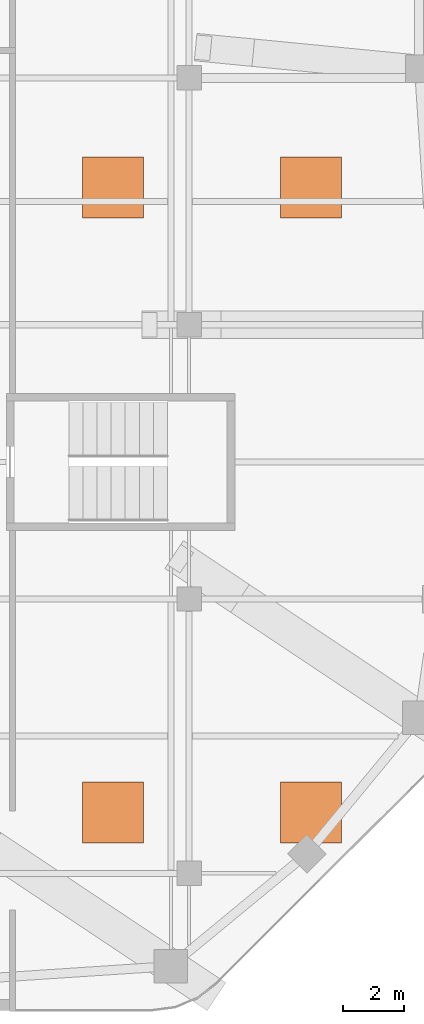
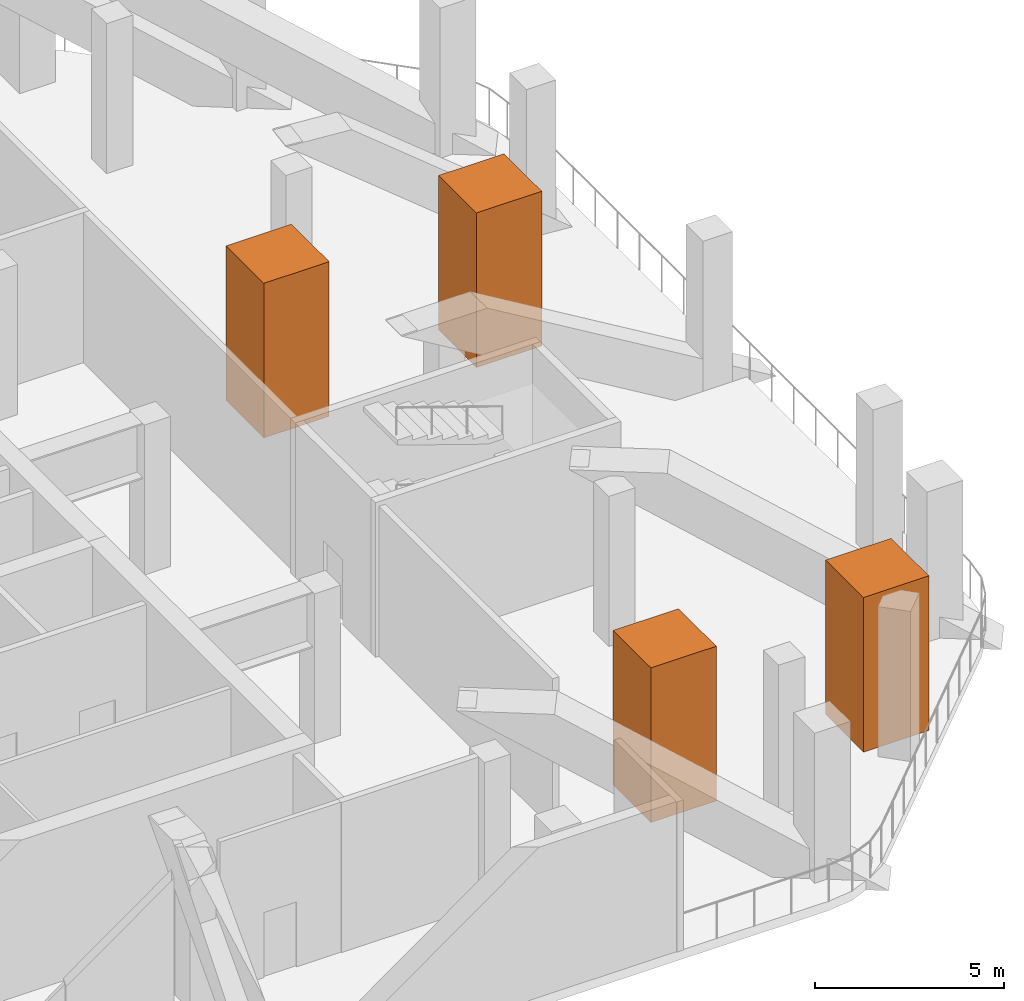
# One storey, part 8 of 8: 4 proxies.
"""IFC4 building model written with IfcOpenShell, lengths in metres."""

from ifc_helpers import new_model, si_unit, direction, frame, origin, origin_2d, place, context, subcontext, project, spatial, rectangle, extrude, material, type_object, element, save


model = new_model("IFC4")

# Units and contexts
model_context = context("Model", 3, precision=1e-05, world=origin(), true_north=direction((0.0, 1.0)))
body_context = subcontext(model_context, "Body", "Model", "MODEL_VIEW")
ifc_project = project(units=[si_unit("LENGTHUNIT", "METRE"), si_unit("AREAUNIT", "SQUARE_METRE"), si_unit("VOLUMEUNIT", "CUBIC_METRE"), si_unit("PLANEANGLEUNIT", "RADIAN"), si_unit("MASSUNIT", "GRAM", prefix="KILO")], contexts=[model_context])

# Site, building, storey
site_placement = place(None, origin())
site = spatial("IfcSite", under=ifc_project, at=site_placement, CompositionType="ELEMENT")
building_placement = place(site_placement, origin())
building = spatial("IfcBuilding", under=site, at=building_placement, Name="Cinnabar Reach Civic Tower", CompositionType="ELEMENT")
storey_placement = place(building_placement, frame((0.0, 0.0, 242.0)))
storey = spatial("IfcBuildingStorey", under=building, at=storey_placement, Name="L58", CompositionType="ELEMENT", Elevation=242.0)

# Proxies
ifc_material = material(Name="Steel and aluminium", Category="steel")
building_element_proxy_type = type_object("IfcBuildingElementProxyType", Name="Vertical-axis wind turbine", PredefinedType="USERDEFINED", material=ifc_material)
for number, where, z_axis, x_axis, name in (
    (1, (33.5, 20.0, 0.0), (0.0, 0.0, 1.0), (1.0, 0.0, 0.0), "TURBINE 1"),
    (2, (40.0, 20.0, 0.0), (0.0, 0.0, 1.0), (1.0, 0.0, 0.0), "TURBINE 2"),
    (3, (33.5, 40.5, 0.0), (0.0, 0.0, 1.0), (1.0, 0.0, 0.0), "TURBINE 3"),
    (4, (40.0, 40.5, 0.0), (0.0, 0.0, 1.0), (1.0, 0.0, 0.0), "TURBINE 4"),
):
    element("IfcBuildingElementProxy", number, at=place(storey_placement, frame(where, z_axis=z_axis, x_axis=x_axis)), inside=storey, type_object=building_element_proxy_type, Name=name, ObjectType="TURBINE", PredefinedType="USERDEFINED", context=body_context, shape_type="SweptSolid", body=[
        extrude(rectangle(XDim=2.0, YDim=2.0, at=origin_2d()), origin(), (0.0, 0.0, 1.0), 5.0),
    ])

save(model, "model.ifc")
